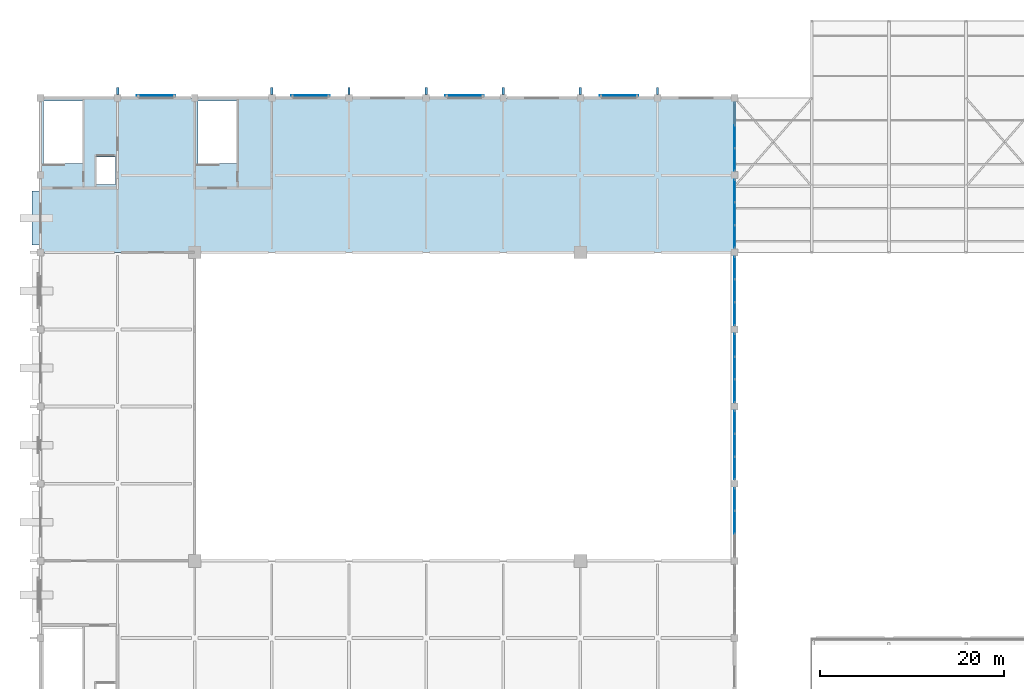
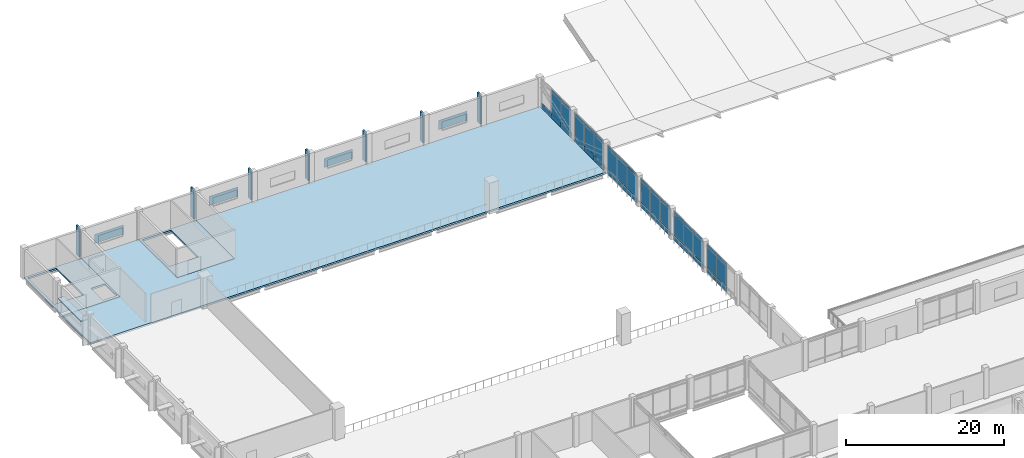
# One storey, part 74 of 110: 61 plates, 3 slabs, 6 elements without a shape of their own.
"""IFC4 building model written with IfcOpenShell, lengths in metres."""

from ifc_helpers import new_model, si_unit, direction, frame, frame_2d, origin, place, context, subcontext, project, spatial, polyline, rectangle, outline, extrude, material, layer, layer_set, type_object, element, aggregate, save


model = new_model("IFC4")

# Units and contexts
model_context = context("Model", 3, precision=1e-05, world=origin(), true_north=direction((0.0, 1.0)))
body_context = subcontext(model_context, "Body", "Model", "MODEL_VIEW")
ifc_project = project(units=[si_unit("LENGTHUNIT", "METRE"), si_unit("AREAUNIT", "SQUARE_METRE"), si_unit("VOLUMEUNIT", "CUBIC_METRE"), si_unit("PLANEANGLEUNIT", "RADIAN"), si_unit("MASSUNIT", "GRAM", prefix="KILO")], contexts=[model_context])

# Site, building, storey
site_placement = place(None, origin())
site = spatial("IfcSite", under=ifc_project, at=site_placement, CompositionType="ELEMENT")
building_placement = place(site_placement, origin())
building = spatial("IfcBuilding", under=site, at=building_placement, Name="Qawsi Khor Wholesale Market", CompositionType="ELEMENT")
storey_placement = place(building_placement, frame((0.0, 0.0, 11.39990234375)))
storey = spatial("IfcBuildingStorey", under=building, at=storey_placement, Name="L02", CompositionType="ELEMENT", Elevation=11.39990234375)

# Curtain wall, plates
ifc_material_1 = material(Name="Aluminium Anodised Bronze", Category="aluminium")
ifc_layer_1 = layer(ifc_material_1, 0.199951171875, Name="Aluminium Anodised Bronze")
ifc_layer_set_1 = layer_set([ifc_layer_1], Name="Aluminium Anodised Bronze")
curtain_wall_type = type_object("IfcCurtainWallType", Name="Trading Hall North-Light Curtain Wall CW-03", PredefinedType="NOTDEFINED", material=ifc_layer_set_1)
curtain_wall_1_placement = place(storey_placement, origin())
curtain_wall_1 = element("IfcCurtainWall", 1, at=curtain_wall_1_placement, inside=storey, type_object=curtain_wall_type, Name="Curtain wall CW-CW-03-L02-079", PredefinedType="NOTDEFINED")
ifc_material_2 = material(Name="Anodised Aluminium Spandrel", Category="aluminium")
ifc_layer_2 = layer(ifc_material_2, 0.074951171875, Name="Anodised Aluminium Spandrel")
ifc_layer_set_2 = layer_set([ifc_layer_2], Name="Anodised Aluminium Spandrel")
plate_type_1 = type_object("IfcPlateType", Name="Insulated Spandrel Panel CW-03 75mm", PredefinedType="CURTAIN_PANEL", material=ifc_layer_set_2)
plate_1_placement = place(storey_placement, frame((75.60009765625, 61.757568359375, 0.005126953125), z_axis=(0.0, 0.0, 1.0), x_axis=(0.0, 1.0, 0.0)))
plate_1 = element("IfcPlate", 2, at=plate_1_placement, type_object=plate_type_1, Name="Curtain panel CW-CW-03-L02-079-P0_01", PredefinedType="CURTAIN_PANEL", context=body_context, shape_type="SweptSolid", body=[
    extrude(rectangle(XDim=2.48486328125, YDim=0.074951171875, at=frame_2d((1.242431640625, 0.0))), origin(), (0.0, 0.0, 1.0), 0.840087890625),
])
plate_2_placement = place(storey_placement, frame((75.60009765625, 64.242431640625, 0.005126953125), z_axis=(0.0, 0.0, 1.0), x_axis=(0.0, 1.0, 0.0)))
plate_2 = element("IfcPlate", 3, at=plate_2_placement, type_object=plate_type_1, Name="Curtain panel CW-CW-03-L02-079-P0_02", PredefinedType="CURTAIN_PANEL", context=body_context, shape_type="SweptSolid", body=[
    extrude(rectangle(XDim=2.485107421875, YDim=0.074951171875, at=frame_2d((1.24267578125, 0.0))), origin(), (0.0, 0.0, 1.0), 0.840087890625),
])

curtain_wall_2_placement = place(storey_placement, origin())
curtain_wall_2 = element("IfcCurtainWall", 4, at=curtain_wall_2_placement, inside=storey, type_object=curtain_wall_type, Name="Curtain wall CW-CW-03-L02-084", PredefinedType="NOTDEFINED")
plate_3_placement = place(storey_placement, frame((75.60009765625, 67.672607421875, 0.005126953125), z_axis=(0.0, 0.0, 1.0), x_axis=(0.0, 1.0, 0.0)))
plate_3 = element("IfcPlate", 5, at=plate_3_placement, type_object=plate_type_1, Name="Curtain panel CW-CW-03-L02-084-P0_00", PredefinedType="CURTAIN_PANEL", context=body_context, shape_type="SweptSolid", body=[
    extrude(rectangle(XDim=2.48486328125, YDim=0.074951171875, at=frame_2d((1.242431640625, 0.0))), origin(), (0.0, 0.0, 1.0), 0.840087890625),
])
plate_4_placement = place(storey_placement, frame((75.60009765625, 70.157470703125, 0.005126953125), z_axis=(0.0, 0.0, 1.0), x_axis=(0.0, 1.0, 0.0)))
plate_4 = element("IfcPlate", 6, at=plate_4_placement, type_object=plate_type_1, Name="Curtain panel CW-CW-03-L02-084-P0_01", PredefinedType="CURTAIN_PANEL", context=body_context, shape_type="SweptSolid", body=[
    extrude(rectangle(XDim=2.485107421875, YDim=0.074951171875, at=frame_2d((1.24267578125, 0.0))), origin(), (0.0, 0.0, 1.0), 0.840087890625),
])
plate_5_placement = place(storey_placement, frame((75.60009765625, 72.642578125, 0.005126953125), z_axis=(0.0, 0.0, 1.0), x_axis=(0.0, 1.0, 0.0)))
plate_5 = element("IfcPlate", 7, at=plate_5_placement, type_object=plate_type_1, Name="Curtain panel CW-CW-03-L02-084-P0_02", PredefinedType="CURTAIN_PANEL", context=body_context, shape_type="SweptSolid", body=[
    extrude(rectangle(XDim=2.48486328125, YDim=0.074951171875, at=frame_2d((1.242431640625, 0.0))), origin(), (0.0, 0.0, 1.0), 0.840087890625),
])

curtain_wall_3_placement = place(storey_placement, origin())
curtain_wall_3 = element("IfcCurtainWall", 8, at=curtain_wall_3_placement, inside=storey, type_object=curtain_wall_type, Name="Curtain wall CW-CW-03-L02-089", PredefinedType="NOTDEFINED")
plate_6_placement = place(storey_placement, frame((75.60009765625, 76.072509765625, 0.005126953125), z_axis=(0.0, 0.0, 1.0), x_axis=(0.0, 1.0, 0.0)))
plate_6 = element("IfcPlate", 9, at=plate_6_placement, type_object=plate_type_1, Name="Curtain panel CW-CW-03-L02-089-P0_00", PredefinedType="CURTAIN_PANEL", context=body_context, shape_type="SweptSolid", body=[
    extrude(rectangle(XDim=2.485107421875, YDim=0.074951171875, at=frame_2d((1.24267578125, 0.0))), origin(), (0.0, 0.0, 1.0), 0.840087890625),
])
plate_7_placement = place(storey_placement, frame((75.60009765625, 78.5576171875, 0.005126953125), z_axis=(0.0, 0.0, 1.0), x_axis=(0.0, 1.0, 0.0)))
plate_7 = element("IfcPlate", 10, at=plate_7_placement, type_object=plate_type_1, Name="Curtain panel CW-CW-03-L02-089-P0_01", PredefinedType="CURTAIN_PANEL", context=body_context, shape_type="SweptSolid", body=[
    extrude(rectangle(XDim=2.48486328125, YDim=0.074951171875, at=frame_2d((1.242431640625, 0.0))), origin(), (0.0, 0.0, 1.0), 0.840087890625),
])
plate_8_placement = place(storey_placement, frame((75.60009765625, 81.04248046875, 0.005126953125), z_axis=(0.0, 0.0, 1.0), x_axis=(0.0, 1.0, 0.0)))
plate_8 = element("IfcPlate", 11, at=plate_8_placement, type_object=plate_type_1, Name="Curtain panel CW-CW-03-L02-089-P0_02", PredefinedType="CURTAIN_PANEL", context=body_context, shape_type="SweptSolid", body=[
    extrude(rectangle(XDim=2.485107421875, YDim=0.074951171875, at=frame_2d((1.24267578125, 0.0))), origin(), (0.0, 0.0, 1.0), 0.840087890625),
])

curtain_wall_4_placement = place(storey_placement, origin())
curtain_wall_4 = element("IfcCurtainWall", 12, at=curtain_wall_4_placement, inside=storey, type_object=curtain_wall_type, Name="Curtain wall CW-CW-03-L02-094", PredefinedType="NOTDEFINED")
plate_9_placement = place(storey_placement, frame((75.60009765625, 84.472412109375, 0.005126953125), z_axis=(0.0, 0.0, 1.0), x_axis=(0.0, 1.0, 0.0)))
plate_9 = element("IfcPlate", 13, at=plate_9_placement, type_object=plate_type_1, Name="Curtain panel CW-CW-03-L02-094-P0_00", PredefinedType="CURTAIN_PANEL", context=body_context, shape_type="SweptSolid", body=[
    extrude(rectangle(XDim=2.485107421875, YDim=0.074951171875, at=frame_2d((1.24267578125, 0.0))), origin(), (0.0, 0.0, 1.0), 0.840087890625),
])
plate_10_placement = place(storey_placement, frame((75.60009765625, 86.95751953125, 0.005126953125), z_axis=(0.0, 0.0, 1.0), x_axis=(0.0, 1.0, 0.0)))
plate_10 = element("IfcPlate", 14, at=plate_10_placement, type_object=plate_type_1, Name="Curtain panel CW-CW-03-L02-094-P0_01", PredefinedType="CURTAIN_PANEL", context=body_context, shape_type="SweptSolid", body=[
    extrude(rectangle(XDim=2.48486328125, YDim=0.074951171875, at=frame_2d((1.242431640625, 0.0))), origin(), (0.0, 0.0, 1.0), 0.840087890625),
])
plate_11_placement = place(storey_placement, frame((75.60009765625, 89.4423828125, 0.005126953125), z_axis=(0.0, 0.0, 1.0), x_axis=(0.0, 1.0, 0.0)))
plate_11 = element("IfcPlate", 15, at=plate_11_placement, type_object=plate_type_1, Name="Curtain panel CW-CW-03-L02-094-P0_02", PredefinedType="CURTAIN_PANEL", context=body_context, shape_type="SweptSolid", body=[
    extrude(rectangle(XDim=2.485107421875, YDim=0.074951171875, at=frame_2d((1.24267578125, 0.0))), origin(), (0.0, 0.0, 1.0), 0.840087890625),
])

curtain_wall_5_placement = place(storey_placement, origin())
curtain_wall_5 = element("IfcCurtainWall", 16, at=curtain_wall_5_placement, inside=storey, type_object=curtain_wall_type, Name="Curtain wall CW-CW-03-L02-157", PredefinedType="NOTDEFINED")
plate_12_placement = place(storey_placement, frame((75.60009765625, 92.87255859375, 0.005126953125), z_axis=(0.0, 0.0, 1.0), x_axis=(0.0, 1.0, 0.0)))
plate_12 = element("IfcPlate", 17, at=plate_12_placement, type_object=plate_type_1, Name="Curtain panel CW-CW-03-L02-157-P0_00", PredefinedType="CURTAIN_PANEL", context=body_context, shape_type="SweptSolid", body=[
    extrude(rectangle(XDim=2.48486328125, YDim=0.074951171875, at=frame_2d((1.242431640625, 0.0))), origin(), (0.0, 0.0, 1.0), 0.840087890625),
])
plate_13_placement = place(storey_placement, frame((75.60009765625, 95.357421875, 0.005126953125), z_axis=(0.0, 0.0, 1.0), x_axis=(0.0, 1.0, 0.0)))
plate_13 = element("IfcPlate", 18, at=plate_13_placement, type_object=plate_type_1, Name="Curtain panel CW-CW-03-L02-157-P0_01", PredefinedType="CURTAIN_PANEL", context=body_context, shape_type="SweptSolid", body=[
    extrude(rectangle(XDim=2.485107421875, YDim=0.074951171875, at=frame_2d((1.24267578125, 0.0))), origin(), (0.0, 0.0, 1.0), 0.840087890625),
])
plate_14_placement = place(storey_placement, frame((75.60009765625, 97.842529296875, 0.005126953125), z_axis=(0.0, 0.0, 1.0), x_axis=(0.0, 1.0, 0.0)))
plate_14 = element("IfcPlate", 19, at=plate_14_placement, type_object=plate_type_1, Name="Curtain panel CW-CW-03-L02-157-P0_02", PredefinedType="CURTAIN_PANEL", context=body_context, shape_type="SweptSolid", body=[
    extrude(rectangle(XDim=2.48486328125, YDim=0.074951171875, at=frame_2d((1.242431640625, 0.0))), origin(), (0.0, 0.0, 1.0), 0.840087890625),
])

curtain_wall_6_placement = place(storey_placement, origin())
curtain_wall_6 = element("IfcCurtainWall", 20, at=curtain_wall_6_placement, inside=storey, type_object=curtain_wall_type, Name="Curtain wall CW-CW-03-L02-158", PredefinedType="NOTDEFINED")
plate_15_placement = place(storey_placement, frame((75.60009765625, 101.2724609375, 0.005126953125), z_axis=(0.0, 0.0, 1.0), x_axis=(0.0, 1.0, 0.0)))
plate_15 = element("IfcPlate", 21, at=plate_15_placement, type_object=plate_type_1, Name="Curtain panel CW-CW-03-L02-158-P0_00", PredefinedType="CURTAIN_PANEL", context=body_context, shape_type="SweptSolid", body=[
    extrude(rectangle(XDim=2.476806640625, YDim=0.074951171875, at=frame_2d((1.23828125, 0.0))), origin(), (0.0, 0.0, 1.0), 0.840087890625),
])
plate_16_placement = place(storey_placement, frame((75.60009765625, 103.749267578125, 0.005126953125), z_axis=(0.0, 0.0, 1.0), x_axis=(0.0, 1.0, 0.0)))
plate_16 = element("IfcPlate", 22, at=plate_16_placement, type_object=plate_type_1, Name="Curtain panel CW-CW-03-L02-158-P0_01", PredefinedType="CURTAIN_PANEL", context=body_context, shape_type="SweptSolid", body=[
    extrude(rectangle(XDim=2.4765625, YDim=0.074951171875, at=frame_2d((1.23828125, 0.0))), origin(), (0.0, 0.0, 1.0), 0.840087890625),
])
plate_17_placement = place(storey_placement, frame((75.60009765625, 106.225830078125, 0.005126953125), z_axis=(0.0, 0.0, 1.0), x_axis=(0.0, 1.0, 0.0)))
plate_17 = element("IfcPlate", 23, at=plate_17_placement, type_object=plate_type_1, Name="Curtain panel CW-CW-03-L02-158-P0_02", PredefinedType="CURTAIN_PANEL", context=body_context, shape_type="SweptSolid", body=[
    extrude(rectangle(XDim=2.4765625, YDim=0.074951171875, at=frame_2d((1.23828125, 0.0))), origin(), (0.0, 0.0, 1.0), 0.840087890625),
])

# Slab
ifc_material_3 = material(Name="Concrete C40/50", Category="concrete")
ifc_layer_3 = layer(ifc_material_3, 0.27001953125, Name="Concrete C40/50")
ifc_layer_set_3 = layer_set([ifc_layer_3], Name="Concrete C40/50")
slab_type_1 = type_object("IfcSlabType", Name="Mezzanine Floor Slab 265 C40/50", PredefinedType="FLOOR", material=ifc_layer_set_3)
slab_1_placement = place(storey_placement, frame((0.0, 0.0, -0.27001953125)))
element("IfcSlab", 24, at=slab_1_placement, inside=storey, type_object=slab_type_1, Name="SLB-L02-WHALL-N", PredefinedType="FLOOR", context=body_context, shape_type="SweptSolid", body=[
    extrude(outline(polyline([(0.0, 99.39990234375), (8.39990234375, 99.39990234375), (8.39990234375, 109.199951171875), (16.800048828125, 109.199951171875), (16.800048828125, 99.39990234375), (25.199951171875, 99.39990234375), (25.199951171875, 109.199951171875), (75.60009765625, 109.199951171875), (75.60009765625, 92.39990234375), (0.0, 92.39990234375), (0.0, 99.39990234375)])), origin(), (0.0, 0.0, 1.0), 0.27001953125),
])

# Plates
ifc_material_4 = material(Name="Perforated Bronze-Anodised Aluminium", Category="aluminium")
ifc_layer_4 = layer(ifc_material_4, 0.014892578125, Name="Perforated Bronze-Anodised Aluminium")
ifc_layer_set_4 = layer_set([ifc_layer_4], Name="Perforated Bronze-Anodised Aluminium")
plate_type_2 = type_object("IfcPlateType", Name="Perforated Bronze Mashrabiya Screen 15mm", PredefinedType="SHEET", material=ifc_layer_set_4)
for number, where, z_axis, x_axis, name in (
    (25, (10.5, 109.47509765625, 1.35009765625), (0.0, 0.0, 1.0), (1.0, 0.0, 0.0), "Solar mashrabiya screen 085"),
    (26, (27.300048828125, 109.47509765625, 1.35009765625), (0.0, 0.0, 1.0), (1.0, 0.0, 0.0), "Solar mashrabiya screen 086"),
    (27, (44.10009765625, 109.47509765625, 1.35009765625), (0.0, 0.0, 1.0), (1.0, 0.0, 0.0), "Solar mashrabiya screen 087"),
):
    element("IfcPlate", number, at=place(storey_placement, frame(where, z_axis=z_axis, x_axis=x_axis)), inside=storey, type_object=plate_type_2, Name=name, PredefinedType="SHEET", context=body_context, shape_type="SweptSolid", body=[
        extrude(rectangle(XDim=4.199951171875, YDim=0.014892578125, at=frame_2d((2.10009765625, 0.0))), origin(), (0.0, 0.0, 1.0), 1.449951171875),
    ])
plate_18_placement = place(storey_placement, frame((60.89990234375, 109.47509765625, 1.35009765625), z_axis=(0.0, 0.0, 1.0), x_axis=(1.0, 0.0, 0.0)))
element("IfcPlate", 28, at=plate_18_placement, inside=storey, type_object=plate_type_2, Name="Solar mashrabiya screen 088", PredefinedType="SHEET", context=body_context, shape_type="SweptSolid", body=[
    extrude(rectangle(XDim=4.2001953125, YDim=0.014892578125, at=frame_2d((2.10009765625, 0.0))), origin(), (0.0, 0.0, 1.0), 1.449951171875),
])
ifc_layer_5 = layer(ifc_material_3, 0.260009765625, Name="Concrete C40/50")
ifc_layer_set_5 = layer_set([ifc_layer_5], Name="Concrete C40/50")
plate_type_3 = type_object("IfcPlateType", Name="Sculpted Concrete Solar Buttress Fin 260", PredefinedType="SHEET", material=ifc_layer_set_5)
for number, where, z_axis, x_axis, name in (
    (29, (8.39990234375, 109.590087890625, 0.0), (0.0, 0.0, 1.0), (0.0, 1.0, 0.0), "West Hall North Concrete Fin L02-1"),
    (30, (25.199951171875, 109.590087890625, 0.0), (0.0, 0.0, 1.0), (0.0, 1.0, 0.0), "West Hall North Concrete Fin L02-3"),
    (31, (33.60009765625, 109.590087890625, 0.0), (0.0, 0.0, 1.0), (0.0, 1.0, 0.0), "West Hall North Concrete Fin L02-4"),
    (32, (42.0, 109.590087890625, 0.0), (0.0, 0.0, 1.0), (0.0, 1.0, 0.0), "West Hall North Concrete Fin L02-5"),
    (33, (50.39990234375, 109.590087890625, 0.0), (0.0, 0.0, 1.0), (0.0, 1.0, 0.0), "West Hall North Concrete Fin L02-6"),
    (34, (58.800048828125, 109.590087890625, 0.0), (0.0, 0.0, 1.0), (0.0, 1.0, 0.0), "West Hall North Concrete Fin L02-7"),
    (35, (67.199951171875, 109.590087890625, 0.0), (0.0, 0.0, 1.0), (0.0, 1.0, 0.0), "West Hall North Concrete Fin L02-8"),
):
    element("IfcPlate", number, at=place(storey_placement, frame(where, z_axis=z_axis, x_axis=x_axis)), inside=storey, type_object=plate_type_3, Name=name, PredefinedType="SHEET", context=body_context, shape_type="SweptSolid", body=[
        extrude(rectangle(XDim=0.760009765625, YDim=0.260009765625, at=frame_2d((0.3798828125, 0.0))), origin(), (0.0, 0.0, 1.0), 4.52001953125),
    ])
ifc_layer_6 = layer(ifc_material_3, 0.949951171875, Name="Concrete C40/50")
ifc_layer_set_6 = layer_set([ifc_layer_6], Name="Concrete C40/50")
plate_type_4 = type_object("IfcPlateType", Name="Sculpted Concrete Sun-Hood Canopy 950", PredefinedType="SHEET", material=ifc_layer_set_6)
plate_19_placement = place(storey_placement, frame((-0.425048828125, 93.179931640625, 3.050048828125), z_axis=(0.0, 0.0, 1.0), x_axis=(0.0, 1.0, 0.0)))
element("IfcPlate", 36, at=plate_19_placement, inside=storey, type_object=plate_type_4, Name="West Hall Concrete Sun-Hood L02-11", PredefinedType="SHEET", context=body_context, shape_type="SweptSolid", body=[
    extrude(rectangle(XDim=5.8701171875, YDim=0.949951171875, at=frame_2d((2.93505859375, 0.0))), origin(), (0.0, 0.0, 1.0), 0.18994140625),
])

# Plate
ifc_material_5 = material(Name="Tempered Low-E Solar Glass", Category="glass")
ifc_layer_7 = layer(ifc_material_5, 0.0419921875, Name="Tempered Low-E Solar Glass")
ifc_layer_set_7 = layer_set([ifc_layer_7], Name="Tempered Low-E Solar Glass")
plate_type_5 = type_object("IfcPlateType", Name="Solar Double-Glazed Unit CW-03 42mm", PredefinedType="CURTAIN_PANEL", material=ifc_layer_set_7)
plate_20_placement = place(storey_placement, frame((75.60009765625, 61.757568359375, 0.85498046875), z_axis=(0.0, 0.0, 1.0), x_axis=(0.0, 1.0, 0.0)))
plate_20 = element("IfcPlate", 37, at=plate_20_placement, type_object=plate_type_5, Name="Curtain panel CW-CW-03-L02-079-P1_01", PredefinedType="CURTAIN_PANEL", context=body_context, shape_type="SweptSolid", body=[
    extrude(rectangle(XDim=2.48486328125, YDim=0.0419921875, at=frame_2d((1.242431640625, 0.0))), origin(), (0.0, 0.0, 1.0), 3.210205078125),
])

plate_21_placement = place(storey_placement, frame((75.60009765625, 64.242431640625, 0.85498046875), z_axis=(0.0, 0.0, 1.0), x_axis=(0.0, 1.0, 0.0)))
plate_21 = element("IfcPlate", 38, at=plate_21_placement, type_object=plate_type_5, Name="Curtain panel CW-CW-03-L02-079-P1_02", PredefinedType="CURTAIN_PANEL", context=body_context, shape_type="SweptSolid", body=[
    extrude(rectangle(XDim=2.485107421875, YDim=0.0419921875, at=frame_2d((1.24267578125, 0.0))), origin(), (0.0, 0.0, 1.0), 3.210205078125),
])

plate_22_placement = place(storey_placement, frame((75.60009765625, 61.757568359375, 4.0751953125), z_axis=(0.0, 0.0, 1.0), x_axis=(0.0, 1.0, 0.0)))
plate_22 = element("IfcPlate", 39, at=plate_22_placement, type_object=plate_type_5, Name="Curtain panel CW-CW-03-L02-079-P2_01", PredefinedType="CURTAIN_PANEL", context=body_context, shape_type="SweptSolid", body=[
    extrude(rectangle(XDim=2.48486328125, YDim=0.0419921875, at=frame_2d((1.242431640625, 0.0))), origin(), (0.0, 0.0, 1.0), 0.43994140625),
])

plate_23_placement = place(storey_placement, frame((75.60009765625, 64.242431640625, 4.0751953125), z_axis=(0.0, 0.0, 1.0), x_axis=(0.0, 1.0, 0.0)))
plate_23 = element("IfcPlate", 40, at=plate_23_placement, type_object=plate_type_5, Name="Curtain panel CW-CW-03-L02-079-P2_02", PredefinedType="CURTAIN_PANEL", context=body_context, shape_type="SweptSolid", body=[
    extrude(rectangle(XDim=2.485107421875, YDim=0.0419921875, at=frame_2d((1.24267578125, 0.0))), origin(), (0.0, 0.0, 1.0), 0.43994140625),
])

aggregate(curtain_wall_1, [plate_1, plate_2, plate_20, plate_21, plate_22, plate_23])

plate_24_placement = place(storey_placement, frame((75.60009765625, 67.672607421875, 0.85498046875), z_axis=(0.0, 0.0, 1.0), x_axis=(0.0, 1.0, 0.0)))
plate_24 = element("IfcPlate", 41, at=plate_24_placement, type_object=plate_type_5, Name="Curtain panel CW-CW-03-L02-084-P1_00", PredefinedType="CURTAIN_PANEL", context=body_context, shape_type="SweptSolid", body=[
    extrude(rectangle(XDim=2.48486328125, YDim=0.0419921875, at=frame_2d((1.242431640625, 0.0))), origin(), (0.0, 0.0, 1.0), 3.210205078125),
])

plate_25_placement = place(storey_placement, frame((75.60009765625, 70.157470703125, 0.85498046875), z_axis=(0.0, 0.0, 1.0), x_axis=(0.0, 1.0, 0.0)))
plate_25 = element("IfcPlate", 42, at=plate_25_placement, type_object=plate_type_5, Name="Curtain panel CW-CW-03-L02-084-P1_01", PredefinedType="CURTAIN_PANEL", context=body_context, shape_type="SweptSolid", body=[
    extrude(rectangle(XDim=2.485107421875, YDim=0.0419921875, at=frame_2d((1.24267578125, 0.0))), origin(), (0.0, 0.0, 1.0), 3.210205078125),
])

plate_26_placement = place(storey_placement, frame((75.60009765625, 72.642578125, 0.85498046875), z_axis=(0.0, 0.0, 1.0), x_axis=(0.0, 1.0, 0.0)))
plate_26 = element("IfcPlate", 43, at=plate_26_placement, type_object=plate_type_5, Name="Curtain panel CW-CW-03-L02-084-P1_02", PredefinedType="CURTAIN_PANEL", context=body_context, shape_type="SweptSolid", body=[
    extrude(rectangle(XDim=2.48486328125, YDim=0.0419921875, at=frame_2d((1.242431640625, 0.0))), origin(), (0.0, 0.0, 1.0), 3.210205078125),
])

plate_27_placement = place(storey_placement, frame((75.60009765625, 67.672607421875, 4.0751953125), z_axis=(0.0, 0.0, 1.0), x_axis=(0.0, 1.0, 0.0)))
plate_27 = element("IfcPlate", 44, at=plate_27_placement, type_object=plate_type_5, Name="Curtain panel CW-CW-03-L02-084-P2_00", PredefinedType="CURTAIN_PANEL", context=body_context, shape_type="SweptSolid", body=[
    extrude(rectangle(XDim=2.48486328125, YDim=0.0419921875, at=frame_2d((1.242431640625, 0.0))), origin(), (0.0, 0.0, 1.0), 0.43994140625),
])

plate_28_placement = place(storey_placement, frame((75.60009765625, 70.157470703125, 4.0751953125), z_axis=(0.0, 0.0, 1.0), x_axis=(0.0, 1.0, 0.0)))
plate_28 = element("IfcPlate", 45, at=plate_28_placement, type_object=plate_type_5, Name="Curtain panel CW-CW-03-L02-084-P2_01", PredefinedType="CURTAIN_PANEL", context=body_context, shape_type="SweptSolid", body=[
    extrude(rectangle(XDim=2.485107421875, YDim=0.0419921875, at=frame_2d((1.24267578125, 0.0))), origin(), (0.0, 0.0, 1.0), 0.43994140625),
])

plate_29_placement = place(storey_placement, frame((75.60009765625, 72.642578125, 4.0751953125), z_axis=(0.0, 0.0, 1.0), x_axis=(0.0, 1.0, 0.0)))
plate_29 = element("IfcPlate", 46, at=plate_29_placement, type_object=plate_type_5, Name="Curtain panel CW-CW-03-L02-084-P2_02", PredefinedType="CURTAIN_PANEL", context=body_context, shape_type="SweptSolid", body=[
    extrude(rectangle(XDim=2.48486328125, YDim=0.0419921875, at=frame_2d((1.242431640625, 0.0))), origin(), (0.0, 0.0, 1.0), 0.43994140625),
])

aggregate(curtain_wall_2, [plate_3, plate_4, plate_5, plate_24, plate_25, plate_26, plate_27, plate_28, plate_29])

plate_30_placement = place(storey_placement, frame((75.60009765625, 76.072509765625, 0.85498046875), z_axis=(0.0, 0.0, 1.0), x_axis=(0.0, 1.0, 0.0)))
plate_30 = element("IfcPlate", 47, at=plate_30_placement, type_object=plate_type_5, Name="Curtain panel CW-CW-03-L02-089-P1_00", PredefinedType="CURTAIN_PANEL", context=body_context, shape_type="SweptSolid", body=[
    extrude(rectangle(XDim=2.485107421875, YDim=0.0419921875, at=frame_2d((1.24267578125, 0.0))), origin(), (0.0, 0.0, 1.0), 3.210205078125),
])

plate_31_placement = place(storey_placement, frame((75.60009765625, 78.5576171875, 0.85498046875), z_axis=(0.0, 0.0, 1.0), x_axis=(0.0, 1.0, 0.0)))
plate_31 = element("IfcPlate", 48, at=plate_31_placement, type_object=plate_type_5, Name="Curtain panel CW-CW-03-L02-089-P1_01", PredefinedType="CURTAIN_PANEL", context=body_context, shape_type="SweptSolid", body=[
    extrude(rectangle(XDim=2.48486328125, YDim=0.0419921875, at=frame_2d((1.242431640625, 0.0))), origin(), (0.0, 0.0, 1.0), 3.210205078125),
])

plate_32_placement = place(storey_placement, frame((75.60009765625, 81.04248046875, 0.85498046875), z_axis=(0.0, 0.0, 1.0), x_axis=(0.0, 1.0, 0.0)))
plate_32 = element("IfcPlate", 49, at=plate_32_placement, type_object=plate_type_5, Name="Curtain panel CW-CW-03-L02-089-P1_02", PredefinedType="CURTAIN_PANEL", context=body_context, shape_type="SweptSolid", body=[
    extrude(rectangle(XDim=2.485107421875, YDim=0.0419921875, at=frame_2d((1.24267578125, 0.0))), origin(), (0.0, 0.0, 1.0), 3.210205078125),
])

plate_33_placement = place(storey_placement, frame((75.60009765625, 76.072509765625, 4.0751953125), z_axis=(0.0, 0.0, 1.0), x_axis=(0.0, 1.0, 0.0)))
plate_33 = element("IfcPlate", 50, at=plate_33_placement, type_object=plate_type_5, Name="Curtain panel CW-CW-03-L02-089-P2_00", PredefinedType="CURTAIN_PANEL", context=body_context, shape_type="SweptSolid", body=[
    extrude(rectangle(XDim=2.485107421875, YDim=0.0419921875, at=frame_2d((1.24267578125, 0.0))), origin(), (0.0, 0.0, 1.0), 0.43994140625),
])

plate_34_placement = place(storey_placement, frame((75.60009765625, 78.5576171875, 4.0751953125), z_axis=(0.0, 0.0, 1.0), x_axis=(0.0, 1.0, 0.0)))
plate_34 = element("IfcPlate", 51, at=plate_34_placement, type_object=plate_type_5, Name="Curtain panel CW-CW-03-L02-089-P2_01", PredefinedType="CURTAIN_PANEL", context=body_context, shape_type="SweptSolid", body=[
    extrude(rectangle(XDim=2.48486328125, YDim=0.0419921875, at=frame_2d((1.242431640625, 0.0))), origin(), (0.0, 0.0, 1.0), 0.43994140625),
])

plate_35_placement = place(storey_placement, frame((75.60009765625, 81.04248046875, 4.0751953125), z_axis=(0.0, 0.0, 1.0), x_axis=(0.0, 1.0, 0.0)))
plate_35 = element("IfcPlate", 52, at=plate_35_placement, type_object=plate_type_5, Name="Curtain panel CW-CW-03-L02-089-P2_02", PredefinedType="CURTAIN_PANEL", context=body_context, shape_type="SweptSolid", body=[
    extrude(rectangle(XDim=2.485107421875, YDim=0.0419921875, at=frame_2d((1.24267578125, 0.0))), origin(), (0.0, 0.0, 1.0), 0.43994140625),
])

aggregate(curtain_wall_3, [plate_6, plate_7, plate_8, plate_30, plate_31, plate_32, plate_33, plate_34, plate_35])

plate_36_placement = place(storey_placement, frame((75.60009765625, 84.472412109375, 0.85498046875), z_axis=(0.0, 0.0, 1.0), x_axis=(0.0, 1.0, 0.0)))
plate_36 = element("IfcPlate", 53, at=plate_36_placement, type_object=plate_type_5, Name="Curtain panel CW-CW-03-L02-094-P1_00", PredefinedType="CURTAIN_PANEL", context=body_context, shape_type="SweptSolid", body=[
    extrude(rectangle(XDim=2.485107421875, YDim=0.0419921875, at=frame_2d((1.24267578125, 0.0))), origin(), (0.0, 0.0, 1.0), 3.210205078125),
])

plate_37_placement = place(storey_placement, frame((75.60009765625, 86.95751953125, 0.85498046875), z_axis=(0.0, 0.0, 1.0), x_axis=(0.0, 1.0, 0.0)))
plate_37 = element("IfcPlate", 54, at=plate_37_placement, type_object=plate_type_5, Name="Curtain panel CW-CW-03-L02-094-P1_01", PredefinedType="CURTAIN_PANEL", context=body_context, shape_type="SweptSolid", body=[
    extrude(rectangle(XDim=2.48486328125, YDim=0.0419921875, at=frame_2d((1.242431640625, 0.0))), origin(), (0.0, 0.0, 1.0), 3.210205078125),
])

plate_38_placement = place(storey_placement, frame((75.60009765625, 89.4423828125, 0.85498046875), z_axis=(0.0, 0.0, 1.0), x_axis=(0.0, 1.0, 0.0)))
plate_38 = element("IfcPlate", 55, at=plate_38_placement, type_object=plate_type_5, Name="Curtain panel CW-CW-03-L02-094-P1_02", PredefinedType="CURTAIN_PANEL", context=body_context, shape_type="SweptSolid", body=[
    extrude(rectangle(XDim=2.485107421875, YDim=0.0419921875, at=frame_2d((1.24267578125, 0.0))), origin(), (0.0, 0.0, 1.0), 3.210205078125),
])

plate_39_placement = place(storey_placement, frame((75.60009765625, 84.472412109375, 4.0751953125), z_axis=(0.0, 0.0, 1.0), x_axis=(0.0, 1.0, 0.0)))
plate_39 = element("IfcPlate", 56, at=plate_39_placement, type_object=plate_type_5, Name="Curtain panel CW-CW-03-L02-094-P2_00", PredefinedType="CURTAIN_PANEL", context=body_context, shape_type="SweptSolid", body=[
    extrude(rectangle(XDim=2.485107421875, YDim=0.0419921875, at=frame_2d((1.24267578125, 0.0))), origin(), (0.0, 0.0, 1.0), 0.43994140625),
])

plate_40_placement = place(storey_placement, frame((75.60009765625, 86.95751953125, 4.0751953125), z_axis=(0.0, 0.0, 1.0), x_axis=(0.0, 1.0, 0.0)))
plate_40 = element("IfcPlate", 57, at=plate_40_placement, type_object=plate_type_5, Name="Curtain panel CW-CW-03-L02-094-P2_01", PredefinedType="CURTAIN_PANEL", context=body_context, shape_type="SweptSolid", body=[
    extrude(rectangle(XDim=2.48486328125, YDim=0.0419921875, at=frame_2d((1.242431640625, 0.0))), origin(), (0.0, 0.0, 1.0), 0.43994140625),
])

plate_41_placement = place(storey_placement, frame((75.60009765625, 89.4423828125, 4.0751953125), z_axis=(0.0, 0.0, 1.0), x_axis=(0.0, 1.0, 0.0)))
plate_41 = element("IfcPlate", 58, at=plate_41_placement, type_object=plate_type_5, Name="Curtain panel CW-CW-03-L02-094-P2_02", PredefinedType="CURTAIN_PANEL", context=body_context, shape_type="SweptSolid", body=[
    extrude(rectangle(XDim=2.485107421875, YDim=0.0419921875, at=frame_2d((1.24267578125, 0.0))), origin(), (0.0, 0.0, 1.0), 0.43994140625),
])

aggregate(curtain_wall_4, [plate_9, plate_10, plate_11, plate_36, plate_37, plate_38, plate_39, plate_40, plate_41])

plate_42_placement = place(storey_placement, frame((75.60009765625, 92.87255859375, 0.85498046875), z_axis=(0.0, 0.0, 1.0), x_axis=(0.0, 1.0, 0.0)))
plate_42 = element("IfcPlate", 59, at=plate_42_placement, type_object=plate_type_5, Name="Curtain panel CW-CW-03-L02-157-P1_00", PredefinedType="CURTAIN_PANEL", context=body_context, shape_type="SweptSolid", body=[
    extrude(rectangle(XDim=2.48486328125, YDim=0.0419921875, at=frame_2d((1.242431640625, 0.0))), origin(), (0.0, 0.0, 1.0), 3.210205078125),
])

plate_43_placement = place(storey_placement, frame((75.60009765625, 95.357421875, 0.85498046875), z_axis=(0.0, 0.0, 1.0), x_axis=(0.0, 1.0, 0.0)))
plate_43 = element("IfcPlate", 60, at=plate_43_placement, type_object=plate_type_5, Name="Curtain panel CW-CW-03-L02-157-P1_01", PredefinedType="CURTAIN_PANEL", context=body_context, shape_type="SweptSolid", body=[
    extrude(rectangle(XDim=2.485107421875, YDim=0.0419921875, at=frame_2d((1.24267578125, 0.0))), origin(), (0.0, 0.0, 1.0), 3.210205078125),
])

plate_44_placement = place(storey_placement, frame((75.60009765625, 97.842529296875, 0.85498046875), z_axis=(0.0, 0.0, 1.0), x_axis=(0.0, 1.0, 0.0)))
plate_44 = element("IfcPlate", 61, at=plate_44_placement, type_object=plate_type_5, Name="Curtain panel CW-CW-03-L02-157-P1_02", PredefinedType="CURTAIN_PANEL", context=body_context, shape_type="SweptSolid", body=[
    extrude(rectangle(XDim=2.48486328125, YDim=0.0419921875, at=frame_2d((1.242431640625, 0.0))), origin(), (0.0, 0.0, 1.0), 3.210205078125),
])

plate_45_placement = place(storey_placement, frame((75.60009765625, 92.87255859375, 4.0751953125), z_axis=(0.0, 0.0, 1.0), x_axis=(0.0, 1.0, 0.0)))
plate_45 = element("IfcPlate", 62, at=plate_45_placement, type_object=plate_type_5, Name="Curtain panel CW-CW-03-L02-157-P2_00", PredefinedType="CURTAIN_PANEL", context=body_context, shape_type="SweptSolid", body=[
    extrude(rectangle(XDim=2.48486328125, YDim=0.0419921875, at=frame_2d((1.242431640625, 0.0))), origin(), (0.0, 0.0, 1.0), 0.43994140625),
])

plate_46_placement = place(storey_placement, frame((75.60009765625, 95.357421875, 4.0751953125), z_axis=(0.0, 0.0, 1.0), x_axis=(0.0, 1.0, 0.0)))
plate_46 = element("IfcPlate", 63, at=plate_46_placement, type_object=plate_type_5, Name="Curtain panel CW-CW-03-L02-157-P2_01", PredefinedType="CURTAIN_PANEL", context=body_context, shape_type="SweptSolid", body=[
    extrude(rectangle(XDim=2.485107421875, YDim=0.0419921875, at=frame_2d((1.24267578125, 0.0))), origin(), (0.0, 0.0, 1.0), 0.43994140625),
])

plate_47_placement = place(storey_placement, frame((75.60009765625, 97.842529296875, 4.0751953125), z_axis=(0.0, 0.0, 1.0), x_axis=(0.0, 1.0, 0.0)))
plate_47 = element("IfcPlate", 64, at=plate_47_placement, type_object=plate_type_5, Name="Curtain panel CW-CW-03-L02-157-P2_02", PredefinedType="CURTAIN_PANEL", context=body_context, shape_type="SweptSolid", body=[
    extrude(rectangle(XDim=2.48486328125, YDim=0.0419921875, at=frame_2d((1.242431640625, 0.0))), origin(), (0.0, 0.0, 1.0), 0.43994140625),
])

aggregate(curtain_wall_5, [plate_12, plate_13, plate_14, plate_42, plate_43, plate_44, plate_45, plate_46, plate_47])

plate_48_placement = place(storey_placement, frame((75.60009765625, 101.2724609375, 0.85498046875), z_axis=(0.0, 0.0, 1.0), x_axis=(0.0, 1.0, 0.0)))
plate_48 = element("IfcPlate", 65, at=plate_48_placement, type_object=plate_type_5, Name="Curtain panel CW-CW-03-L02-158-P1_00", PredefinedType="CURTAIN_PANEL", context=body_context, shape_type="SweptSolid", body=[
    extrude(rectangle(XDim=2.476806640625, YDim=0.0419921875, at=frame_2d((1.23828125, 0.0))), origin(), (0.0, 0.0, 1.0), 3.210205078125),
])

plate_49_placement = place(storey_placement, frame((75.60009765625, 103.749267578125, 0.85498046875), z_axis=(0.0, 0.0, 1.0), x_axis=(0.0, 1.0, 0.0)))
plate_49 = element("IfcPlate", 66, at=plate_49_placement, type_object=plate_type_5, Name="Curtain panel CW-CW-03-L02-158-P1_01", PredefinedType="CURTAIN_PANEL", context=body_context, shape_type="SweptSolid", body=[
    extrude(rectangle(XDim=2.4765625, YDim=0.0419921875, at=frame_2d((1.23828125, 0.0))), origin(), (0.0, 0.0, 1.0), 3.210205078125),
])

plate_50_placement = place(storey_placement, frame((75.60009765625, 101.2724609375, 4.0751953125), z_axis=(0.0, 0.0, 1.0), x_axis=(0.0, 1.0, 0.0)))
plate_50 = element("IfcPlate", 67, at=plate_50_placement, type_object=plate_type_5, Name="Curtain panel CW-CW-03-L02-158-P2_00", PredefinedType="CURTAIN_PANEL", context=body_context, shape_type="SweptSolid", body=[
    extrude(rectangle(XDim=2.476806640625, YDim=0.0419921875, at=frame_2d((1.23828125, 0.0))), origin(), (0.0, 0.0, 1.0), 0.43994140625),
])

plate_51_placement = place(storey_placement, frame((75.60009765625, 103.749267578125, 4.0751953125), z_axis=(0.0, 0.0, 1.0), x_axis=(0.0, 1.0, 0.0)))
plate_51 = element("IfcPlate", 68, at=plate_51_placement, type_object=plate_type_5, Name="Curtain panel CW-CW-03-L02-158-P2_01", PredefinedType="CURTAIN_PANEL", context=body_context, shape_type="SweptSolid", body=[
    extrude(rectangle(XDim=2.4765625, YDim=0.0419921875, at=frame_2d((1.23828125, 0.0))), origin(), (0.0, 0.0, 1.0), 0.43994140625),
])

aggregate(curtain_wall_6, [plate_15, plate_16, plate_17, plate_48, plate_49, plate_50, plate_51])

# Slabs
ifc_layer_8 = layer(ifc_material_3, 0.280029296875, Name="Concrete C40/50")
ifc_layer_set_8 = layer_set([ifc_layer_8], Name="Concrete C40/50")
slab_type_2 = type_object("IfcSlabType", Name="Suspended Floor Slab 280 C40/50", PredefinedType="FLOOR", material=ifc_layer_set_8)
slab_2_placement = place(storey_placement, frame((0.0, 0.0, -0.27978515625)))
element("IfcSlab", 69, at=slab_2_placement, inside=storey, type_object=slab_type_2, Name="Core floor slab L02 C08", PredefinedType="FLOOR", context=body_context, shape_type="SweptSolid", body=[
    extrude(outline(polyline([(0.0, 109.199951171875), (8.39990234375, 109.199951171875), (8.39990234375, 99.39990234375), (0.0, 99.39990234375), (0.0, 109.199951171875)]), holes=[polyline([(6.1201171875, 99.800048828125), (8.199951171875, 99.800048828125), (8.199951171875, 102.800048828125), (6.1201171875, 102.800048828125), (6.1201171875, 99.800048828125)]), polyline([(0.340087890625, 102.080078125), (4.580078125, 102.080078125), (4.580078125, 108.860107421875), (0.340087890625, 108.860107421875), (0.340087890625, 102.080078125)])]), origin(), (0.0, 0.0, 1.0), 0.27978515625),
])
slab_3_placement = place(storey_placement, frame((0.0, 0.0, -0.27978515625)))
element("IfcSlab", 70, at=slab_3_placement, inside=storey, type_object=slab_type_2, Name="Core floor slab L02 C09", PredefinedType="FLOOR", context=body_context, shape_type="SweptSolid", body=[
    extrude(outline(polyline([(16.800048828125, 109.199951171875), (25.199951171875, 109.199951171875), (25.199951171875, 99.39990234375), (16.800048828125, 99.39990234375), (16.800048828125, 109.199951171875)]), holes=[polyline([(21.3798828125, 102.080078125), (21.3798828125, 108.860107421875), (17.139892578125, 108.860107421875), (17.139892578125, 102.080078125), (21.3798828125, 102.080078125)])]), origin(), (0.0, 0.0, 1.0), 0.27978515625),
])

save(model, "model.ifc")
